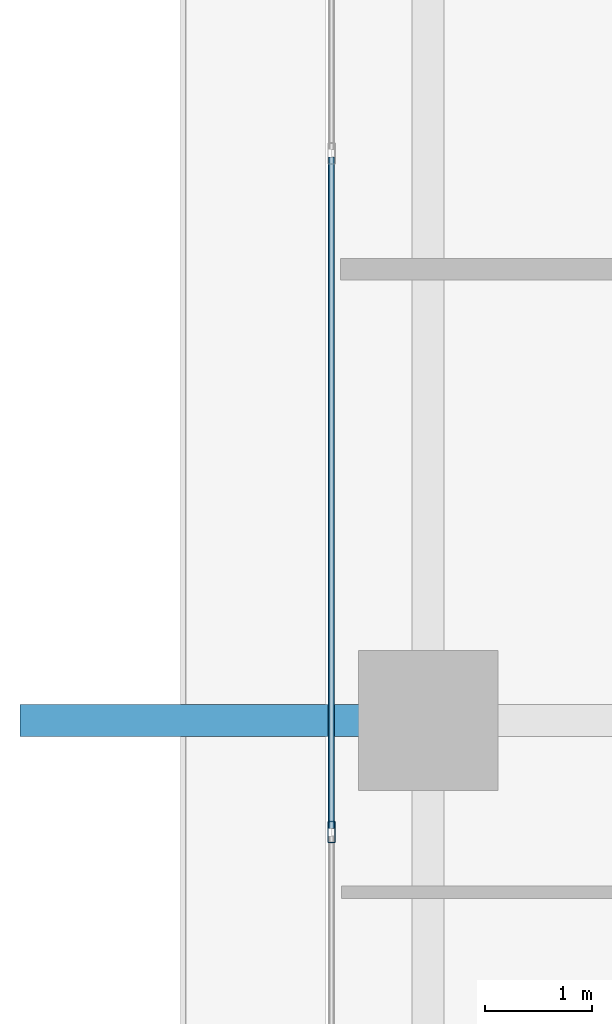
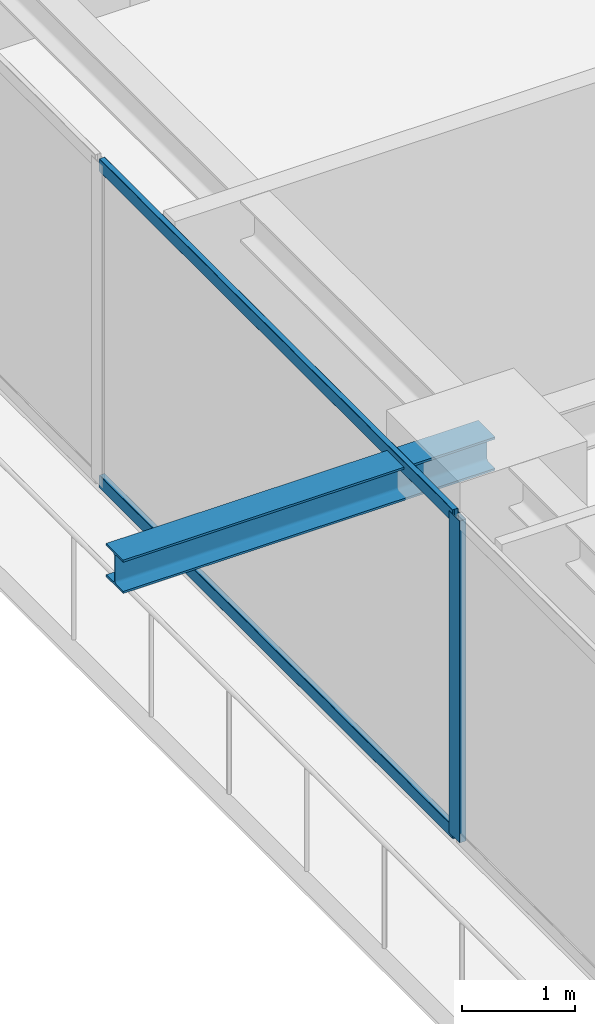
# One storey, part 8 of 34: 3 members, 1 beam, 1 element without a shape of its own.
"""IFC4 building model written with IfcOpenShell, lengths in metres."""

from ifc_helpers import new_model, si_unit, direction, frame, origin, origin_2d, place, context, subcontext, project, spatial, hollow_rectangle, i_section, extrude, source, transform, mapped, material, layer, layer_set, material_profile, profile_set, type_object, element, aggregate, save


model = new_model("IFC4")

# Units and contexts
model_context = context("Model", 3, precision=1e-05, world=origin(), true_north=direction((0.0, 1.0)))
body_context = subcontext(model_context, "Body", "Model", "MODEL_VIEW")
ifc_project = project(units=[si_unit("LENGTHUNIT", "METRE"), si_unit("AREAUNIT", "SQUARE_METRE"), si_unit("VOLUMEUNIT", "CUBIC_METRE"), si_unit("PLANEANGLEUNIT", "RADIAN"), si_unit("MASSUNIT", "GRAM", prefix="KILO")], contexts=[model_context])

# Site, building, storey
site_placement = place(None, origin())
site = spatial("IfcSite", under=ifc_project, at=site_placement, CompositionType="ELEMENT")
building_placement = place(site_placement, origin())
building = spatial("IfcBuilding", under=site, at=building_placement, Name="Serunith Strait Residences", CompositionType="ELEMENT")
storey_placement = place(building_placement, frame((0.0, 0.0, 180.14990234375)))
storey = spatial("IfcBuildingStorey", under=building, at=storey_placement, Name="L45", CompositionType="ELEMENT", Elevation=180.14990234375)

# Beam
ifc_material_1 = material(Name="Steel S355J2", Category="steel")
ifc_material_profile_1 = material_profile(ifc_material_1, i_section(OverallWidth=0.300048828125, OverallDepth=0.360107421875, WebThickness=0.012451171875, FlangeThickness=0.0224609375, FilletRadius=0.027099609375, at=origin_2d()), Name="HEB 360")
ifc_profile_set_1 = profile_set([ifc_material_profile_1], Name="Steel S355J2")
beam_type = type_object("IfcBeamType", Name="BM-HEB360", PredefinedType="BEAM", material=ifc_profile_set_1)
shared_shape_1 = source(origin(), body_context, "Body", "SweptSolid", [
    extrude(i_section(OverallWidth=0.300048828125, OverallDepth=0.360107421875, WebThickness=0.012451171875, FlangeThickness=0.0224609375, FilletRadius=0.027099609375, at=origin_2d()), origin(), (0.0, 0.0, 1.0), 3.800048828125),
])
beam_placement = place(storey_placement, frame((8.699951171875, 29.39990234375, 3.277099609375), z_axis=(-1.0, 0.0, 0.0), x_axis=(0.0, -1.0, 0.0)))
element("IfcBeam", 1, at=beam_placement, inside=storey, type_object=beam_type, Name="L46 Cantilevered Balcony Rib TC-W3", PredefinedType="BEAM", context=body_context, shape_type="MappedRepresentation", body=[
    mapped(shared_shape_1, transform((0.0, 0.0, 0.0), scale=1.0)),
])

# Curtain wall, members
ifc_material_2 = material(Name="Pale-Champagne Anodised Aluminium", Category="aluminium")
ifc_layer = layer(ifc_material_2, 0.199951171875, Name="Pale-Champagne Anodised Aluminium")
ifc_layer_set = layer_set([ifc_layer], Name="Pale-Champagne Anodised Aluminium")
curtain_wall_type = type_object("IfcCurtainWallType", Name="CW-SYS2", PredefinedType="NOTDEFINED", material=ifc_layer_set)
curtain_wall_placement = place(storey_placement, origin())
curtain_wall = element("IfcCurtainWall", 2, at=curtain_wall_placement, inside=storey, type_object=curtain_wall_type, Name="L45 W Unitised Fritted Curtain Wall", PredefinedType="NOTDEFINED")
ifc_material_profile_2 = material_profile(ifc_material_2, hollow_rectangle(XDim=0.070068359375, YDim=0.199951171875, WallThickness=0.00390625, InnerFilletRadius=0.006103515625, OuterFilletRadius=0.010009765625, at=origin_2d()), Name="ALU 200x70x4")
ifc_profile_set_2 = profile_set([ifc_material_profile_2], Name="Pale-Champagne Anodised Aluminium")
member_type_1 = type_object("IfcMemberType", Name="CW-SYS2-MULL", PredefinedType="MULLION", material=ifc_profile_set_2)
shared_shape_2 = source(origin(), body_context, "Body", "SweptSolid", [
    extrude(hollow_rectangle(XDim=0.070068359375, YDim=0.199951171875, WallThickness=0.00390625, InnerFilletRadius=0.006103515625, OuterFilletRadius=0.010009765625, at=origin_2d()), origin(), (0.0, 0.0, 1.0), 3.47509765625),
])
member_1_placement = place(storey_placement, frame((7.800048828125, 28.360107421875, 0.0), z_axis=(0.0, 0.0, 1.0), x_axis=(1.0, 0.0, 0.0)))
member_1 = element("IfcMember", 3, at=member_1_placement, type_object=member_type_1, Name="CW-2 mullion 3", PredefinedType="MULLION", context=body_context, shape_type="MappedRepresentation", body=[
    mapped(shared_shape_2, transform((0.0, 0.0, 0.0), scale=1.0)),
])
ifc_material_profile_3 = material_profile(ifc_material_2, hollow_rectangle(XDim=0.06005859375, YDim=0.139892578125, WallThickness=0.00341796875, InnerFilletRadius=0.00537109375, OuterFilletRadius=0.0087890625, at=origin_2d()), Name="ALU 140x60x3.5")
ifc_profile_set_3 = profile_set([ifc_material_profile_3], Name="Pale-Champagne Anodised Aluminium")
member_type_2 = type_object("IfcMemberType", Name="CW-SYS2-TRAN", PredefinedType="USERDEFINED", material=ifc_profile_set_3)
shared_shape_3 = source(origin(), body_context, "Body", "SweptSolid", [
    extrude(hollow_rectangle(XDim=0.06005859375, YDim=0.139892578125, WallThickness=0.00341796875, InnerFilletRadius=0.00537109375, OuterFilletRadius=0.0087890625, at=origin_2d()), origin(), (0.0, 0.0, 1.0), 6.25),
])
member_2_placement = place(storey_placement, frame((7.800048828125, 34.64501953125, 0.030029296875), z_axis=(0.0, -1.0, 0.0), x_axis=(1.0, 0.0, 0.0)))
member_2 = element("IfcMember", 4, at=member_2_placement, type_object=member_type_2, Name="CW-2 transom 2.1", ObjectType="TRANSOM", PredefinedType="USERDEFINED", context=body_context, shape_type="MappedRepresentation", body=[
    mapped(shared_shape_3, transform((0.0, 0.0, 0.0), scale=1.0)),
])
member_3_placement = place(storey_placement, frame((7.800048828125, 34.64501953125, 3.445068359375), z_axis=(0.0, -1.0, 0.0), x_axis=(1.0, 0.0, 0.0)))
member_3 = element("IfcMember", 5, at=member_3_placement, type_object=member_type_2, Name="CW-2 transom 2.2", ObjectType="TRANSOM", PredefinedType="USERDEFINED", context=body_context, shape_type="MappedRepresentation", body=[
    mapped(shared_shape_3, transform((0.0, 0.0, 0.0), scale=1.0)),
])
aggregate(curtain_wall, [member_1, member_2, member_3])

save(model, "model.ifc")
